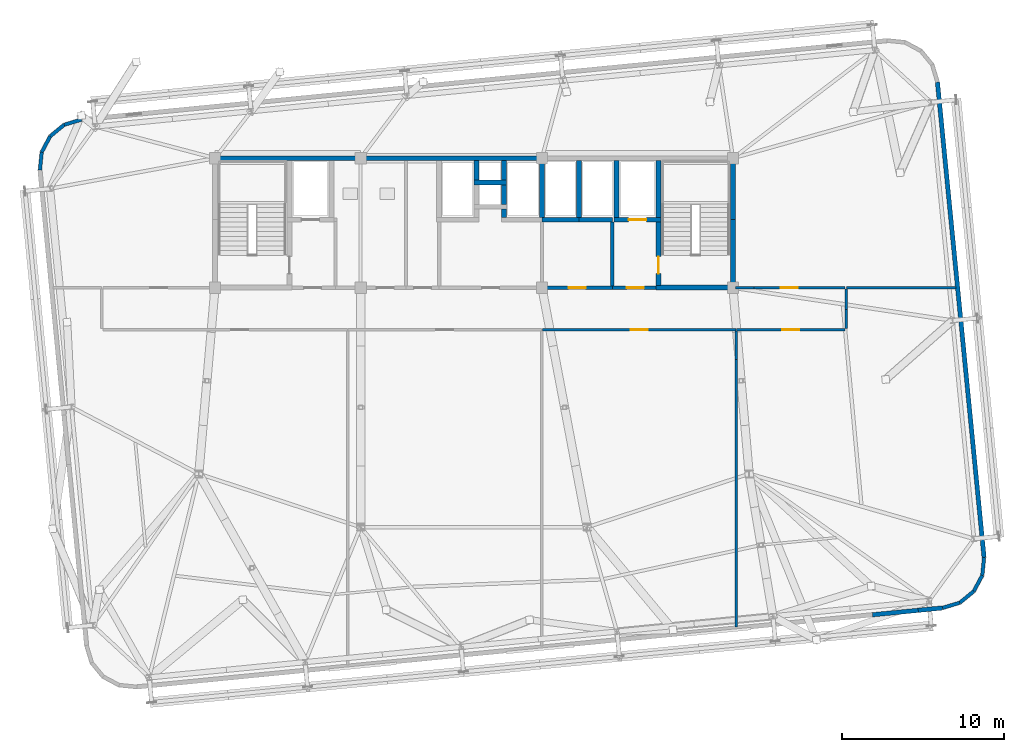
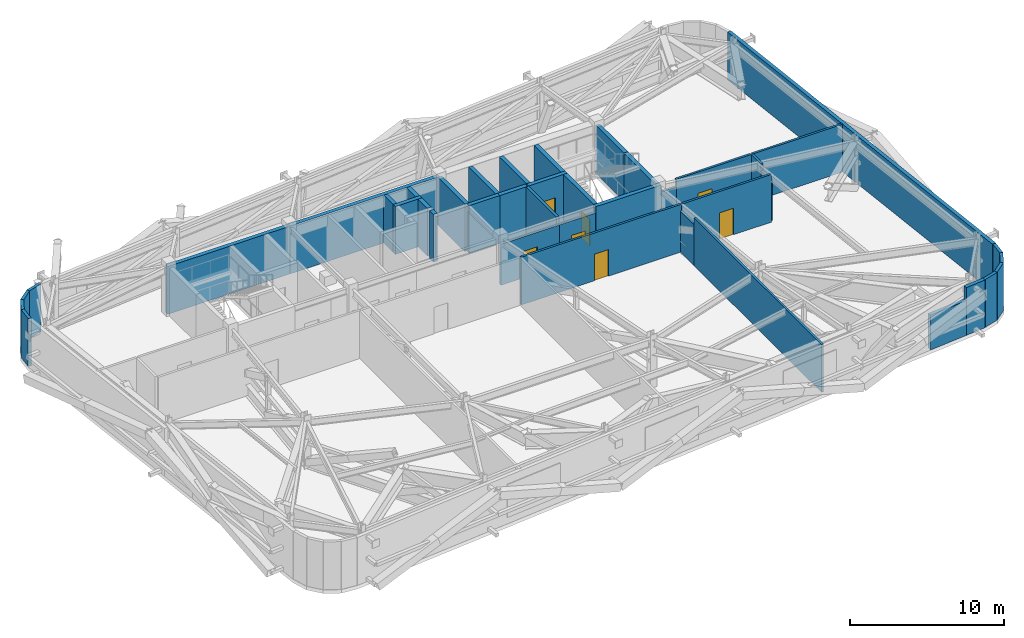
# One storey, part 22 of 24: 41 walls, 7 doors, 7 openings.
"""IFC4 building model written with IfcOpenShell, lengths in metres."""

from ifc_helpers import new_model, si_unit, direction, frame, frame_2d, origin, place, context, subcontext, project, spatial, rectangle, extrude, source, transform, mapped, material, layer, layer_set, type_object, element, fill, save


model = new_model("IFC4")

# Units and contexts
model_context = context("Model", 3, precision=1e-05, world=origin(), true_north=direction((0.0, 1.0)))
body_context = subcontext(model_context, "Body", "Model", "MODEL_VIEW")
ifc_project = project(units=[si_unit("LENGTHUNIT", "METRE"), si_unit("AREAUNIT", "SQUARE_METRE"), si_unit("VOLUMEUNIT", "CUBIC_METRE"), si_unit("PLANEANGLEUNIT", "RADIAN"), si_unit("MASSUNIT", "GRAM", prefix="KILO")], contexts=[model_context])

# Site, building, storey
site_placement = place(None, origin())
site = spatial("IfcSite", under=ifc_project, at=site_placement, CompositionType="ELEMENT")
building_placement = place(site_placement, origin())
building = spatial("IfcBuilding", under=site, at=building_placement, Name="Taldren Reach Tower", CompositionType="ELEMENT")
storey_placement = place(building_placement, frame((0.0, 0.0, 112.35009765625)))
storey = spatial("IfcBuildingStorey", under=building, at=storey_placement, Name="L34", CompositionType="ELEMENT", Elevation=112.35009765625)

# Walls
ifc_material_1 = material(Name="Pale Champagne Anodised Aluminium Cladding", Category="aluminium")
ifc_layer_1 = layer(ifc_material_1, 0.04, Name="Pale Champagne Anodised Aluminium Cladding", Category="aluminium")
ifc_material_2 = material(Name="Mineral Wool Acoustic Insulation", Category="insulation")
ifc_layer_2 = layer(ifc_material_2, 0.06, Name="Mineral Wool Acoustic Insulation", Category="insulation")
ifc_material_3 = material(Name="Steel Gr 350 (C350L0)", Category="steel")
ifc_layer_3 = layer(ifc_material_3, 0.12, Name="Steel Gr 350 (C350L0)", Category="steel")
ifc_layer_set_1 = layer_set([ifc_layer_1, ifc_layer_2, ifc_layer_3], Name="Pale Champagne Aluminium Cladding and Steel Gr 350 Stud Framing")
wall_type_1 = type_object("IfcWallType", Name="EW-CRN-220", PredefinedType="SOLIDWALL", material=ifc_layer_set_1)
shared_shape_1 = source(origin(), body_context, "Body", "SweptSolid", [
    extrude(rectangle(XDim=1.11572265625, YDim=0.219970703125, at=frame_2d((0.557861328125, 0.0))), origin(), (0.0, 0.0, 1.0), 3.77978515625),
])
for number, where, z_axis, x_axis, name in (
    (1, (63.94921875, 4.213623046875, 0.0), (0.0, 0.0, 1.0), (0.957052003726, 0.289916301997, 0.0), "Rounded-corner pale-metal facade wall L34-SE1"),
    (2, (65.880126953125, 5.24462890625, 0.0), (0.0, 0.0, 1.0), (0.471723463201, 0.881746547635, 0.0), "Rounded-corner pale-metal facade wall L34-SE3"),
    (3, (9.682861328125, 34.06298828125, 0.0), (0.0, 0.0, 1.0), (-0.773254916409, -0.634095287989, 0.0), "Rounded-corner pale-metal facade wall L34-NW2"),
    (4, (8.29345703125, 32.371337890625, 0.0), (0.0, 0.0, 1.0), (-0.098463783145, -0.99514063499, 0.0), "Rounded-corner pale-metal facade wall L34-NW4"),
):
    element("IfcWall", number, at=place(storey_placement, frame(where, z_axis=z_axis, x_axis=x_axis)), inside=storey, type_object=wall_type_1, Name=name, PredefinedType="SOLIDWALL", context=body_context, shape_type="MappedRepresentation", body=[
        mapped(shared_shape_1, transform((0.0, 0.0, 0.0), scale=1.0)),
    ])
shared_shape_2 = source(origin(), body_context, "Body", "SweptSolid", [
    extrude(rectangle(XDim=1.115966796875, YDim=0.219970703125, at=frame_2d((0.55810546875, 0.0))), origin(), (0.0, 0.0, 1.0), 3.77978515625),
])
for number, where, z_axis, x_axis, name in (
    (5, (65.01708984375, 4.537109375, 0.0), (0.0, 0.0, 1.0), (0.773342870285, 0.633988016432, 0.0), "Rounded-corner pale-metal facade wall L34-SE2"),
    (6, (66.406494140625, 6.228515625, 0.0), (0.0, 0.0, 1.0), (0.09844234778, 0.995142755671, 0.0), "Rounded-corner pale-metal facade wall L34-SE4"),
    (7, (10.7509765625, 34.386474609375, 0.0), (0.0, 0.0, 1.0), (-0.957070388811, -0.289855603468, 0.0), "Rounded-corner pale-metal facade wall L34-NW1"),
):
    element("IfcWall", number, at=place(storey_placement, frame(where, z_axis=z_axis, x_axis=x_axis)), inside=storey, type_object=wall_type_1, Name=name, PredefinedType="SOLIDWALL", context=body_context, shape_type="MappedRepresentation", body=[
        mapped(shared_shape_2, transform((0.0, 0.0, 0.0), scale=1.0)),
    ])
shared_shape_3 = source(origin(), body_context, "Body", "SweptSolid", [
    extrude(rectangle(XDim=1.1162109375, YDim=0.219970703125, at=frame_2d((0.55810546875, 0.0))), origin(), (0.0, 0.0, 1.0), 3.77978515625),
])
wall_1_placement = place(storey_placement, frame((8.820068359375, 33.35546875, 0.0), z_axis=(0.0, 0.0, 1.0), x_axis=(-0.471802540493, -0.881704237704, 0.0)))
element("IfcWall", 8, at=wall_1_placement, inside=storey, type_object=wall_type_1, Name="Rounded-corner pale-metal facade wall L34-NW3", PredefinedType="SOLIDWALL", context=body_context, shape_type="MappedRepresentation", body=[
    mapped(shared_shape_3, transform((0.0, 0.0, 0.0), scale=1.0)),
])
ifc_material_4 = material(Name="Perforated Anodised Aluminium Acoustic Liner", Category="aluminium")
ifc_layer_4 = layer(ifc_material_4, 0.04, Name="Perforated Anodised Aluminium Acoustic Liner", Category="aluminium")
ifc_layer_5 = layer(ifc_material_2, 0.08, Name="Mineral Wool Acoustic Insulation", Category="insulation")
ifc_layer_6 = layer(ifc_material_3, 0.15, Name="Steel Gr 350 (C350L0)", Category="steel")
ifc_layer_set_2 = layer_set([ifc_layer_4, ifc_layer_5, ifc_layer_6], Name="Perforated Anodised Aluminium Liner and Steel Gr 350 Stud Framing")
wall_type_2 = type_object("IfcWallType", Name="EW-PLT-270", PredefinedType="SOLIDWALL", material=ifc_layer_set_2)
shared_shape_4 = source(origin(), body_context, "Body", "SweptSolid", [
    extrude(rectangle(XDim=2.844482421875, YDim=0.27001953125, at=frame_2d((1.42236328125, 0.0))), origin(), (0.0, 0.0, 1.0), 2.755859375),
])
wall_2_placement = place(storey_placement, frame((59.61865234375, 3.7890625, 0.0), z_axis=(0.0, 0.0, 1.0), x_axis=(0.995226563783, 0.0975914276, 0.0)))
element("IfcWall", 9, at=wall_2_placement, inside=storey, type_object=wall_type_2, Name="Plant floor perimeter enclosure wall L34-S part 2", PredefinedType="SOLIDWALL", context=body_context, shape_type="MappedRepresentation", body=[
    mapped(shared_shape_4, transform((0.0, 0.0, 0.0), scale=1.0)),
])
shared_shape_5 = source(origin(), body_context, "Body", "SweptSolid", [
    extrude(rectangle(XDim=1.5068359375, YDim=0.27001953125, at=frame_2d((0.75341796875, 0.0))), origin(), (0.0, 0.0, 1.0), 3.77978515625),
])
wall_3_placement = place(storey_placement, frame((62.449462890625, 4.066650390625, 0.0), z_axis=(0.0, 0.0, 1.0), x_axis=(0.995232534448, 0.097530520224, 0.0)))
element("IfcWall", 10, at=wall_3_placement, inside=storey, type_object=wall_type_2, Name="Plant floor perimeter enclosure wall L34-S part 3", PredefinedType="SOLIDWALL", context=body_context, shape_type="MappedRepresentation", body=[
    mapped(shared_shape_5, transform((0.0, 0.0, 0.0), scale=1.0)),
])
shared_shape_6 = source(origin(), body_context, "Body", "SweptSolid", [
    extrude(rectangle(XDim=29.5, YDim=0.27001953125, at=frame_2d((14.75, 0.0))), origin(), (0.0, 0.0, 1.0), 3.77978515625),
])
wall_4_placement = place(storey_placement, frame((66.516357421875, 7.339111328125, 0.0), z_axis=(0.0, 0.0, 1.0), x_axis=(-0.09758203215, 0.995227485051, 0.0)))
element("IfcWall", 11, at=wall_4_placement, inside=storey, type_object=wall_type_2, Name="Plant floor perimeter enclosure wall L34-E", PredefinedType="SOLIDWALL", context=body_context, shape_type="MappedRepresentation", body=[
    mapped(shared_shape_6, transform((0.0, 0.0, 0.0), scale=1.0)),
])
ifc_material_5 = material(Name="Concrete S65 (65 MPa)", Category="concrete")
ifc_layer_7 = layer(ifc_material_5, 0.300048828125)
ifc_layer_set_3 = layer_set([ifc_layer_7], Name="Concrete S65 (65 MPa)")
wall_type_3 = type_object("IfcWallType", Name="IW-CORE-300", PredefinedType="SHEAR", material=ifc_layer_set_3)
shared_shape_7 = source(origin(), body_context, "Body", "SweptSolid", [
    extrude(rectangle(XDim=9.14990234375, YDim=0.300048828125, at=frame_2d((4.574951171875, 0.0))), origin(), (0.0, 0.0, 1.0), 3.77978515625),
])
wall_5_placement = place(storey_placement, frame((18.85009765625, 32.0, 0.0), z_axis=(0.0, 0.0, 1.0), x_axis=(1.0, 0.0, 0.0)))
element("IfcWall", 12, at=wall_5_placement, inside=storey, type_object=wall_type_3, Name="Rear Core Shear Wall W-CORE-L34-NORTH1", PredefinedType="SHEAR", context=body_context, shape_type="MappedRepresentation", body=[
    mapped(shared_shape_7, transform((0.0, 0.0, 0.0), scale=1.0)),
])
shared_shape_8 = source(origin(), body_context, "Body", "SweptSolid", [
    extrude(rectangle(XDim=11.199951171875, YDim=0.300048828125, at=frame_2d((5.60009765625, 0.0))), origin(), (0.0, 0.0, 1.0), 3.77978515625),
])
wall_6_placement = place(storey_placement, frame((28.0, 32.0, 0.0), z_axis=(0.0, 0.0, 1.0), x_axis=(1.0, 0.0, 0.0)))
element("IfcWall", 13, at=wall_6_placement, inside=storey, type_object=wall_type_3, Name="Rear Core Shear Wall W-CORE-L34-NORTH2", PredefinedType="SHEAR", context=body_context, shape_type="MappedRepresentation", body=[
    mapped(shared_shape_8, transform((0.0, 0.0, 0.0), scale=1.0)),
])
shared_shape_9 = source(origin(), body_context, "Body", "SweptSolid", [
    extrude(rectangle(XDim=4.050048828125, YDim=0.300048828125, at=frame_2d((2.02490234375, 0.0))), origin(), (0.0, 0.0, 1.0), 3.77978515625),
])
wall_7_placement = place(storey_placement, frame((51.0, 24.14990234375, 0.0), z_axis=(0.0, 0.0, 1.0), x_axis=(0.0, 1.0, 0.0)))
element("IfcWall", 14, at=wall_7_placement, inside=storey, type_object=wall_type_3, Name="Rear Core Shear Wall W-CORE-L34-EAST1", PredefinedType="SHEAR", context=body_context, shape_type="MappedRepresentation", body=[
    mapped(shared_shape_9, transform((0.0, 0.0, 0.0), scale=1.0)),
])
shared_shape_10 = source(origin(), body_context, "Body", "SweptSolid", [
    extrude(rectangle(XDim=3.650146484375, YDim=0.300048828125, at=frame_2d((1.8251953125, 0.0))), origin(), (0.0, 0.0, 1.0), 3.77978515625),
])
wall_8_placement = place(storey_placement, frame((51.0, 28.199951171875, 0.0), z_axis=(0.0, 0.0, 1.0), x_axis=(0.0, 1.0, 0.0)))
element("IfcWall", 15, at=wall_8_placement, inside=storey, type_object=wall_type_3, Name="Rear Core Shear Wall W-CORE-L34-EAST2", PredefinedType="SHEAR", context=body_context, shape_type="MappedRepresentation", body=[
    mapped(shared_shape_10, transform((0.0, 0.0, 0.0), scale=1.0)),
])
shared_shape_11 = source(origin(), body_context, "Body", "SweptSolid", [
    extrude(rectangle(XDim=3.5, YDim=0.300048828125, at=frame_2d((1.75, 0.0))), origin(), (0.0, 0.0, 1.0), 3.77978515625),
])
for number, where, z_axis, x_axis, name in (
    (16, (46.39990234375, 31.85009765625, 0.0), (0.0, 0.0, 1.0), (0.0, -1.0, 0.0), "Rear Core Shear Wall W-INT-L34-008"),
    (17, (43.800048828125, 31.85009765625, 0.0), (0.0, 0.0, 1.0), (0.0, -1.0, 0.0), "Rear Core Shear Wall W-INT-L34-012"),
    (18, (39.199951171875, 28.35009765625, 0.0), (0.0, 0.0, 1.0), (0.0, 1.0, 0.0), "Rear Core Shear Wall W-INT-L34-026"),
    (19, (41.5, 28.35009765625, 0.0), (0.0, 0.0, 1.0), (0.0, 1.0, 0.0), "Rear Core Shear Wall W-INT-L34-029"),
):
    element("IfcWall", number, at=place(storey_placement, frame(where, z_axis=z_axis, x_axis=x_axis)), inside=storey, type_object=wall_type_3, Name=name, PredefinedType="SHEAR", context=body_context, shape_type="MappedRepresentation", body=[
        mapped(shared_shape_11, transform((0.0, 0.0, 0.0), scale=1.0)),
    ])

# Wall, opening, door
shared_shape_12 = source(origin(), body_context, "Body", "SweptSolid", [
    extrude(rectangle(XDim=3.900146484375, YDim=0.300048828125, at=frame_2d((1.9501953125, 0.0))), origin(), (0.0, 0.0, 1.0), 3.77978515625),
])
wall_9_placement = place(storey_placement, frame((46.39990234375, 28.050048828125, 0.0), z_axis=(0.0, 0.0, 1.0), x_axis=(0.0, -1.0, 0.0)))
wall_9 = element("IfcWall", 20, at=wall_9_placement, inside=storey, type_object=wall_type_3, Name="Rear Core Shear Wall W-INT-L34-009", PredefinedType="SHEAR", context=body_context, shape_type="MappedRepresentation", body=[
    mapped(shared_shape_12, transform((0.0, 0.0, 0.0), scale=1.0)),
])
shared_shape_13 = source(origin(), body_context, "Body", "SweptSolid", [
    extrude(rectangle(XDim=1.050048828125, YDim=2.10009765625, at=frame_2d((0.52490234375, 1.050048828125))), frame((0.0, 0.16015625, 0.0), z_axis=(0.0, -1.0, 0.0), x_axis=(1.0, 0.0, 0.0)), (0.0, 0.0, 1.0), 0.320068359375),
])
opening_1_placement = place(wall_9_placement, frame((2.125, 0.0, 0.0)))
opening_1 = element("IfcOpeningElement", 21, at=opening_1_placement, cuts=wall_9, Name="Opening DF-105", PredefinedType="OPENING", context=body_context, shape_type="MappedRepresentation", body=[
    mapped(shared_shape_13, transform((0.0, 0.0, 0.0), scale=1.0)),
])
ifc_material_6 = material(Name="Fire-Rated Care and Stair Exit Door")
door_type_1 = type_object("IfcDoorType", Name="ID-FIRE-105", OperationType="NOTDEFINED", PredefinedType="DOOR", material=ifc_material_6)
shared_shape_14 = source(origin(), body_context, "Body", "SweptSolid", [
    extrude(rectangle(XDim=1.050048828125, YDim=2.10009765625, at=frame_2d((0.52490234375, 1.050048828125))), frame((0.0, 0.02490234375, 0.0), z_axis=(0.0, -1.0, 0.0), x_axis=(1.0, 0.0, 0.0)), (0.0, 0.0, 1.0), 0.050048828125),
])
door_1_placement = place(opening_1_placement, origin())
door_1 = element("IfcDoor", 22, at=door_1_placement, inside=storey, type_object=door_type_1, Name="Fire Exit Stair Door DR-L34-003", OperationType="SINGLE_SWING_RIGHT", OverallHeight=2.10009765625, OverallWidth=1.050048828125, PredefinedType="DOOR", context=body_context, shape_type="MappedRepresentation", body=[
    mapped(shared_shape_14, transform((0.0, 0.0, 0.0), scale=1.0)),
])
fill(opening_1, door_1)

# Wall
shared_shape_15 = source(origin(), body_context, "Body", "SweptSolid", [
    extrude(rectangle(XDim=4.89990234375, YDim=0.300048828125, at=frame_2d((2.449951171875, 0.0))), origin(), (0.0, 0.0, 1.0), 3.77978515625),
])
wall_10_placement = place(storey_placement, frame((46.25, 24.0, 0.0), z_axis=(0.0, 0.0, 1.0), x_axis=(1.0, 0.0, 0.0)))
element("IfcWall", 23, at=wall_10_placement, inside=storey, type_object=wall_type_3, Name="Rear Core Shear Wall W-INT-L34-010", PredefinedType="SHEAR", context=body_context, shape_type="MappedRepresentation", body=[
    mapped(shared_shape_15, transform((0.0, 0.0, 0.0), scale=1.0)),
])

# Wall, opening, door
shared_shape_16 = source(origin(), body_context, "Body", "SweptSolid", [
    extrude(rectangle(XDim=2.900146484375, YDim=0.300048828125, at=frame_2d((1.4501953125, 0.0))), origin(), (0.0, 0.0, 1.0), 3.77978515625),
])
wall_11_placement = place(storey_placement, frame((43.64990234375, 28.199951171875, 0.0), z_axis=(0.0, 0.0, 1.0), x_axis=(1.0, 0.0, 0.0)))
wall_11 = element("IfcWall", 24, at=wall_11_placement, inside=storey, type_object=wall_type_3, Name="Rear Core Shear Wall W-INT-L34-011", PredefinedType="SHEAR", context=body_context, shape_type="MappedRepresentation", body=[
    mapped(shared_shape_16, transform((0.0, 0.0, 0.0), scale=1.0)),
])
shared_shape_17 = source(origin(), body_context, "Body", "SweptSolid", [
    extrude(rectangle(XDim=1.10009765625, YDim=2.14990234375, at=frame_2d((0.550048828125, 1.074951171875))), frame((0.0, 0.16015625, 0.0), z_axis=(0.0, -1.0, 0.0), x_axis=(1.0, 0.0, 0.0)), (0.0, 0.0, 1.0), 0.320068359375),
])
opening_2_placement = place(wall_11_placement, frame((0.89990234375, 0.0, 0.0)))
opening_2 = element("IfcOpeningElement", 25, at=opening_2_placement, cuts=wall_11, Name="Opening LD-FL2", PredefinedType="OPENING", context=body_context, shape_type="MappedRepresentation", body=[
    mapped(shared_shape_17, transform((0.0, 0.0, 0.0), scale=1.0)),
])
ifc_material_7 = material(Name="Stainless Steel Gr 316 Emergency Lift Landing Door", Category="steel")
door_type_2 = type_object("IfcDoorType", Name="LD-EMG-110", OperationType="SLIDING_TO_LEFT", PredefinedType="DOOR", material=ifc_material_7)
shared_shape_18 = source(origin(), body_context, "Body", "SweptSolid", [
    extrude(rectangle(XDim=1.10009765625, YDim=2.14990234375, at=frame_2d((0.550048828125, 1.074951171875))), frame((0.0, 0.02490234375, 0.0), z_axis=(0.0, -1.0, 0.0), x_axis=(1.0, 0.0, 0.0)), (0.0, 0.0, 1.0), 0.050048828125),
])
door_2_placement = place(opening_2_placement, origin())
door_2 = element("IfcDoor", 26, at=door_2_placement, inside=storey, type_object=door_type_2, Name="Lift Landing Door LD-FL2-L34", OperationType="SLIDING_TO_LEFT", OverallHeight=2.14990234375, OverallWidth=1.10009765625, PredefinedType="DOOR", context=body_context, shape_type="MappedRepresentation", body=[
    mapped(shared_shape_18, transform((0.0, 0.0, 0.0), scale=1.0)),
])
fill(opening_2, door_2)

# Wall
ifc_material_8 = material(Name="Concrete S50 (50 MPa)", Category="concrete")
ifc_layer_8 = layer(ifc_material_8, 0.199951171875)
ifc_layer_set_4 = layer_set([ifc_layer_8], Name="Concrete S50 (50 MPa)")
wall_type_4 = type_object("IfcWallType", Name="IW-CORE-200", PredefinedType="SOLIDWALL", material=ifc_layer_set_4)
shared_shape_19 = source(origin(), body_context, "Body", "SweptSolid", [
    extrude(rectangle(XDim=3.949951171875, YDim=0.199951171875, at=frame_2d((1.97509765625, 0.0))), origin(), (0.0, 0.0, 1.0), 3.77978515625),
])
wall_12_placement = place(storey_placement, frame((43.550048828125, 28.050048828125, 0.0), z_axis=(0.0, 0.0, 1.0), x_axis=(0.0, -1.0, 0.0)))
element("IfcWall", 27, at=wall_12_placement, inside=storey, type_object=wall_type_4, Name="Rear Core Shear Wall W-INT-L34-013", PredefinedType="SOLIDWALL", context=body_context, shape_type="MappedRepresentation", body=[
    mapped(shared_shape_19, transform((0.0, 0.0, 0.0), scale=1.0)),
])

# Wall, opening, door
shared_shape_20 = source(origin(), body_context, "Body", "SweptSolid", [
    extrude(rectangle(XDim=2.699951171875, YDim=0.199951171875, at=frame_2d((1.35009765625, 0.0))), origin(), (0.0, 0.0, 1.0), 3.246826171875),
])
wall_13_placement = place(storey_placement, frame((43.550048828125, 24.0, 0.0), z_axis=(0.0, 0.0, 1.0), x_axis=(1.0, 0.0, 0.0)))
wall_13 = element("IfcWall", 28, at=wall_13_placement, inside=storey, type_object=wall_type_4, Name="Rear Core Shear Wall W-INT-L34-014", PredefinedType="SOLIDWALL", context=body_context, shape_type="MappedRepresentation", body=[
    mapped(shared_shape_20, transform((0.0, 0.0, 0.0), scale=1.0)),
])
shared_shape_21 = source(origin(), body_context, "Body", "SweptSolid", [
    extrude(rectangle(XDim=1.050048828125, YDim=2.10009765625, at=frame_2d((0.52490234375, 1.050048828125))), frame((0.0, 0.10986328125, 0.0), z_axis=(0.0, -1.0, 0.0), x_axis=(1.0, 0.0, 0.0)), (0.0, 0.0, 1.0), 0.219970703125),
])
opening_3_placement = place(wall_13_placement, frame((0.89990234375, 0.0, 0.0)))
opening_3 = element("IfcOpeningElement", 29, at=opening_3_placement, cuts=wall_13, Name="Opening DF-105", PredefinedType="OPENING", context=body_context, shape_type="MappedRepresentation", body=[
    mapped(shared_shape_21, transform((0.0, 0.0, 0.0), scale=1.0)),
])
door_3_placement = place(opening_3_placement, origin())
door_3 = element("IfcDoor", 30, at=door_3_placement, inside=storey, type_object=door_type_1, Name="Interior Door DR-L34-004", OperationType="SINGLE_SWING_LEFT", OverallHeight=2.10009765625, OverallWidth=1.050048828125, PredefinedType="DOOR", context=body_context, shape_type="MappedRepresentation", body=[
    mapped(shared_shape_14, transform((0.0, 0.0, 0.0), scale=1.0)),
])
fill(opening_3, door_3)

# Walls
shared_shape_22 = source(origin(), body_context, "Body", "SweptSolid", [
    extrude(rectangle(XDim=2.0, YDim=0.300048828125, at=frame_2d((1.0, 0.0))), origin(), (0.0, 0.0, 1.0), 3.77978515625),
])
wall_14_placement = place(storey_placement, frame((35.0, 30.5, 0.0), z_axis=(0.0, 0.0, 1.0), x_axis=(1.0, 0.0, 0.0)))
element("IfcWall", 31, at=wall_14_placement, inside=storey, type_object=wall_type_3, Name="Rear Core Shear Wall W-INT-L34-015", PredefinedType="SHEAR", context=body_context, shape_type="MappedRepresentation", body=[
    mapped(shared_shape_22, transform((0.0, 0.0, 0.0), scale=1.0)),
])
shared_shape_23 = source(origin(), body_context, "Body", "SweptSolid", [
    extrude(rectangle(XDim=1.2001953125, YDim=0.300048828125, at=frame_2d((0.60009765625, 0.0))), origin(), (0.0, 0.0, 1.0), 3.77978515625),
])
for number, where, z_axis, x_axis, name in (
    (32, (35.14990234375, 31.85009765625, 0.0), (0.0, 0.0, 1.0), (0.0, -1.0, 0.0), "Rear Core Shear Wall W-INT-L34-016"),
    (33, (36.85009765625, 30.64990234375, 0.0), (0.0, 0.0, 1.0), (0.0, 1.0, 0.0), "Rear Core Shear Wall W-INT-L34-017"),
    (34, (36.85009765625, 29.14990234375, 0.0), (0.0, 0.0, 1.0), (0.0, 1.0, 0.0), "Rear Core Shear Wall W-INT-L34-019"),
):
    element("IfcWall", number, at=place(storey_placement, frame(where, z_axis=z_axis, x_axis=x_axis)), inside=storey, type_object=wall_type_3, Name=name, PredefinedType="SHEAR", context=body_context, shape_type="MappedRepresentation", body=[
        mapped(shared_shape_23, transform((0.0, 0.0, 0.0), scale=1.0)),
    ])
shared_shape_24 = source(origin(), body_context, "Body", "SweptSolid", [
    extrude(rectangle(XDim=0.5, YDim=0.300048828125, at=frame_2d((0.25, 0.0))), origin(), (0.0, 0.0, 1.0), 3.77978515625),
])
wall_15_placement = place(storey_placement, frame((36.85009765625, 28.85009765625, 0.0), z_axis=(0.0, 0.0, 1.0), x_axis=(0.0, -1.0, 0.0)))
element("IfcWall", 35, at=wall_15_placement, inside=storey, type_object=wall_type_3, Name="Rear Core Shear Wall W-INT-L34-028", PredefinedType="SHEAR", context=body_context, shape_type="MappedRepresentation", body=[
    mapped(shared_shape_24, transform((0.0, 0.0, 0.0), scale=1.0)),
])
shared_shape_25 = source(origin(), body_context, "Body", "SweptSolid", [
    extrude(rectangle(XDim=2.300048828125, YDim=0.300048828125, at=frame_2d((1.14990234375, 0.0))), origin(), (0.0, 0.0, 1.0), 3.77978515625),
])
wall_16_placement = place(storey_placement, frame((39.199951171875, 28.199951171875, 0.0), z_axis=(0.0, 0.0, 1.0), x_axis=(1.0, 0.0, 0.0)))
element("IfcWall", 36, at=wall_16_placement, inside=storey, type_object=wall_type_3, Name="Rear Core Shear Wall W-INT-L34-030", PredefinedType="SHEAR", context=body_context, shape_type="MappedRepresentation", body=[
    mapped(shared_shape_25, transform((0.0, 0.0, 0.0), scale=1.0)),
])
shared_shape_26 = source(origin(), body_context, "Body", "SweptSolid", [
    extrude(rectangle(XDim=2.070068359375, YDim=0.300048828125, at=frame_2d((1.03515625, 0.0))), origin(), (0.0, 0.0, 1.0), 3.77978515625),
])
wall_17_placement = place(storey_placement, frame((41.5, 28.199951171875, 0.0), z_axis=(0.0, 0.0, 1.0), x_axis=(1.0, 0.0, 0.0)))
element("IfcWall", 37, at=wall_17_placement, inside=storey, type_object=wall_type_3, Name="Rear Core Shear Wall W-INT-L34-031", PredefinedType="SHEAR", context=body_context, shape_type="MappedRepresentation", body=[
    mapped(shared_shape_26, transform((0.0, 0.0, 0.0), scale=1.0)),
])

# Wall, opening, door
shared_shape_27 = source(origin(), body_context, "Body", "SweptSolid", [
    extrude(rectangle(XDim=4.35009765625, YDim=0.199951171875, at=frame_2d((2.175048828125, 0.0))), origin(), (0.0, 0.0, 1.0), 3.246826171875),
])
wall_18_placement = place(storey_placement, frame((43.550048828125, 24.0, 0.0), z_axis=(0.0, 0.0, 1.0), x_axis=(-1.0, 0.0, 0.0)))
wall_18 = element("IfcWall", 38, at=wall_18_placement, inside=storey, type_object=wall_type_4, Name="Rear Core Shear Wall W-INT-L34-036", PredefinedType="SOLIDWALL", context=body_context, shape_type="MappedRepresentation", body=[
    mapped(shared_shape_27, transform((0.0, 0.0, 0.0), scale=1.0)),
])
opening_4_placement = place(wall_18_placement, frame((1.64990234375, 0.0, 0.0)))
opening_4 = element("IfcOpeningElement", 39, at=opening_4_placement, cuts=wall_18, Name="Opening DF-105", PredefinedType="OPENING", context=body_context, shape_type="MappedRepresentation", body=[
    mapped(shared_shape_21, transform((0.0, 0.0, 0.0), scale=1.0)),
])
door_4_placement = place(opening_4_placement, frame((1.050048828125, 0.0, 0.0), z_axis=(0.0, 0.0, 1.0), x_axis=(-1.0, 0.0, 0.0)))
door_4 = element("IfcDoor", 40, at=door_4_placement, inside=storey, type_object=door_type_1, Name="Interior Door DR-L34-008", OperationType="SINGLE_SWING_RIGHT", OverallHeight=2.10009765625, OverallWidth=1.050048828125, PredefinedType="DOOR", context=body_context, shape_type="MappedRepresentation", body=[
    mapped(shared_shape_14, transform((0.0, 0.0, 0.0), scale=1.0)),
])
fill(opening_4, door_4)

# Wall
ifc_material_9 = material(Name="Fire-Rated Acoustic Plasterboard Stud Wall", Category="gypsum")
ifc_layer_9 = layer(ifc_material_9, 0.159912109375)
ifc_layer_set_5 = layer_set([ifc_layer_9], Name="Fire-Rated Acoustic Plasterboard Stud Wall")
wall_type_5 = type_object("IfcWallType", Name="IW-FIRE-160", PredefinedType="PARTITIONING", material=ifc_layer_set_5)
shared_shape_28 = source(origin(), body_context, "Body", "SweptSolid", [
    extrude(rectangle(XDim=1.154541015625, YDim=0.159912109375, at=frame_2d((0.5771484375, 0.0))), origin(), (0.0, 0.0, 1.0), 3.177978515625),
])
wall_19_placement = place(storey_placement, frame((51.14990234375, 24.0, 0.0), z_axis=(0.0, 0.0, 1.0), x_axis=(1.0, 0.0, 0.0)))
element("IfcWall", 41, at=wall_19_placement, inside=storey, type_object=wall_type_5, Name="Interior Partition Wall W-INT-L34-038", PredefinedType="PARTITIONING", context=body_context, shape_type="MappedRepresentation", body=[
    mapped(shared_shape_28, transform((0.0, 0.0, 0.0), scale=1.0)),
])

# Wall, opening, door
shared_shape_29 = source(origin(), body_context, "Body", "SweptSolid", [
    extrude(rectangle(XDim=5.615478515625, YDim=0.159912109375, at=frame_2d((2.8076171875, 0.0))), origin(), (0.0, 0.0, 1.0), 3.77978515625),
])
wall_20_placement = place(storey_placement, frame((52.304443359375, 24.0, 0.0), z_axis=(0.0, 0.0, 1.0), x_axis=(1.0, 0.0, 0.0)))
wall_20 = element("IfcWall", 42, at=wall_20_placement, inside=storey, type_object=wall_type_5, Name="Interior Partition Wall W-INT-L34-038 part 2", PredefinedType="PARTITIONING", context=body_context, shape_type="MappedRepresentation", body=[
    mapped(shared_shape_29, transform((0.0, 0.0, 0.0), scale=1.0)),
])
shared_shape_30 = source(origin(), body_context, "Body", "SweptSolid", [
    extrude(rectangle(XDim=1.050048828125, YDim=2.10009765625, at=frame_2d((0.52490234375, 1.050048828125))), frame((0.0, 0.08984375, 0.0), z_axis=(0.0, -1.0, 0.0), x_axis=(1.0, 0.0, 0.0)), (0.0, 0.0, 1.0), 0.179931640625),
])
opening_5_placement = place(wall_20_placement, frame((1.640625, 0.0, 0.0)))
opening_5 = element("IfcOpeningElement", 43, at=opening_5_placement, cuts=wall_20, Name="Opening DF-105", PredefinedType="OPENING", context=body_context, shape_type="MappedRepresentation", body=[
    mapped(shared_shape_30, transform((0.0, 0.0, 0.0), scale=1.0)),
])
door_5_placement = place(opening_5_placement, origin())
door_5 = element("IfcDoor", 44, at=door_5_placement, inside=storey, type_object=door_type_1, Name="Interior Door DR-L34-010", OperationType="SINGLE_SWING_LEFT", OverallHeight=2.10009765625, OverallWidth=1.050048828125, PredefinedType="DOOR", context=body_context, shape_type="MappedRepresentation", body=[
    mapped(shared_shape_14, transform((0.0, 0.0, 0.0), scale=1.0)),
])
fill(opening_5, door_5)

shared_shape_31 = source(origin(), body_context, "Body", "SweptSolid", [
    extrude(rectangle(XDim=11.95947265625, YDim=0.159912109375, at=frame_2d((5.979736328125, 0.0))), origin(), (0.0, 0.0, 1.0), 3.77978515625),
])
wall_21_placement = place(storey_placement, frame((51.1796875, 21.39990234375, 0.0), z_axis=(0.0, 0.0, 1.0), x_axis=(-1.0, 0.0, 0.0)))
wall_21 = element("IfcWall", 45, at=wall_21_placement, inside=storey, type_object=wall_type_5, Name="Interior Partition Wall W-INT-L34-042", PredefinedType="PARTITIONING", context=body_context, shape_type="MappedRepresentation", body=[
    mapped(shared_shape_31, transform((0.0, 0.0, 0.0), scale=1.0)),
])
opening_6_placement = place(wall_21_placement, frame((5.454833984375, 0.0, 0.0)))
opening_6 = element("IfcOpeningElement", 46, at=opening_6_placement, cuts=wall_21, Name="Opening DF-105", PredefinedType="OPENING", context=body_context, shape_type="MappedRepresentation", body=[
    mapped(shared_shape_30, transform((0.0, 0.0, 0.0), scale=1.0)),
])
door_6_placement = place(opening_6_placement, origin())
door_6 = element("IfcDoor", 47, at=door_6_placement, inside=storey, type_object=door_type_1, Name="Interior Door DR-L34-013", OperationType="SINGLE_SWING_RIGHT", OverallHeight=2.10009765625, OverallWidth=1.050048828125, PredefinedType="DOOR", context=body_context, shape_type="MappedRepresentation", body=[
    mapped(shared_shape_14, transform((0.0, 0.0, 0.0), scale=1.0)),
])
fill(opening_6, door_6)

shared_shape_32 = source(origin(), body_context, "Body", "SweptSolid", [
    extrude(rectangle(XDim=6.69970703125, YDim=0.159912109375, at=frame_2d((3.349853515625, 0.0))), origin(), (0.0, 0.0, 1.0), 3.77978515625),
])
wall_22_placement = place(storey_placement, frame((57.919921875, 21.39990234375, 0.0), z_axis=(0.0, 0.0, 1.0), x_axis=(-1.0, 0.0, 0.0)))
wall_22 = element("IfcWall", 48, at=wall_22_placement, inside=storey, type_object=wall_type_5, Name="Interior Partition Wall W-INT-L34-043", PredefinedType="PARTITIONING", context=body_context, shape_type="MappedRepresentation", body=[
    mapped(shared_shape_32, transform((0.0, 0.0, 0.0), scale=1.0)),
])
opening_7_placement = place(wall_22_placement, frame((2.824951171875, 0.0, 0.0)))
opening_7 = element("IfcOpeningElement", 49, at=opening_7_placement, cuts=wall_22, Name="Opening DF-105", PredefinedType="OPENING", context=body_context, shape_type="MappedRepresentation", body=[
    mapped(shared_shape_30, transform((0.0, 0.0, 0.0), scale=1.0)),
])
door_7_placement = place(opening_7_placement, origin())
door_7 = element("IfcDoor", 50, at=door_7_placement, inside=storey, type_object=door_type_1, Name="Interior Door DR-L34-014", OperationType="SINGLE_SWING_LEFT", OverallHeight=2.10009765625, OverallWidth=1.050048828125, PredefinedType="DOOR", context=body_context, shape_type="MappedRepresentation", body=[
    mapped(shared_shape_14, transform((0.0, 0.0, 0.0), scale=1.0)),
])
fill(opening_7, door_7)

# Walls
shared_shape_33 = source(origin(), body_context, "Body", "SweptSolid", [
    extrude(rectangle(XDim=1.26171875, YDim=0.159912109375, at=frame_2d((0.630859375, 0.0))), origin(), (0.0, 0.0, 1.0), 3.77978515625),
])
wall_23_placement = place(storey_placement, frame((58.0, 23.919921875, 0.0), z_axis=(0.0, 0.0, 1.0), x_axis=(0.0, -1.0, 0.0)))
element("IfcWall", 51, at=wall_23_placement, inside=storey, type_object=wall_type_5, Name="Interior Partition Wall W-INT-L34-044", PredefinedType="PARTITIONING", context=body_context, shape_type="MappedRepresentation", body=[
    mapped(shared_shape_33, transform((0.0, 0.0, 0.0), scale=1.0)),
])
shared_shape_34 = source(origin(), body_context, "Body", "SweptSolid", [
    extrude(rectangle(XDim=1.17822265625, YDim=0.159912109375, at=frame_2d((0.589111328125, 0.0))), origin(), (0.0, 0.0, 1.0), 3.246826171875),
])
wall_24_placement = place(storey_placement, frame((58.0, 22.658203125, 0.0), z_axis=(0.0, 0.0, 1.0), x_axis=(0.0, -1.0, 0.0)))
element("IfcWall", 52, at=wall_24_placement, inside=storey, type_object=wall_type_5, Name="Interior Partition Wall W-INT-L34-044 part 2", PredefinedType="PARTITIONING", context=body_context, shape_type="MappedRepresentation", body=[
    mapped(shared_shape_34, transform((0.0, 0.0, 0.0), scale=1.0)),
])
shared_shape_35 = source(origin(), body_context, "Body", "SweptSolid", [
    extrude(rectangle(XDim=6.76416015625, YDim=0.159912109375, at=frame_2d((3.382080078125, 0.0))), origin(), (0.0, 0.0, 1.0), 3.77978515625),
])
wall_25_placement = place(storey_placement, frame((64.784423828125, 24.0, 0.0), z_axis=(0.0, 0.0, 1.0), x_axis=(-1.0, 0.0, 0.0)))
element("IfcWall", 53, at=wall_25_placement, inside=storey, type_object=wall_type_5, Name="Interior Partition Wall W-INT-L34-046", PredefinedType="PARTITIONING", context=body_context, shape_type="MappedRepresentation", body=[
    mapped(shared_shape_35, transform((0.0, 0.0, 0.0), scale=1.0)),
])
shared_shape_36 = source(origin(), body_context, "Body", "SweptSolid", [
    extrude(rectangle(XDim=1.746337890625, YDim=0.159912109375, at=frame_2d((0.873046875, 0.0))), origin(), (0.0, 0.0, 1.0), 3.246826171875),
])
wall_26_placement = place(storey_placement, frame((51.199951171875, 21.320068359375, 0.0), z_axis=(0.0, 0.0, 1.0), x_axis=(0.0, -1.0, 0.0)))
element("IfcWall", 54, at=wall_26_placement, inside=storey, type_object=wall_type_5, Name="Interior Partition Wall W-INT-L34-049", PredefinedType="PARTITIONING", context=body_context, shape_type="MappedRepresentation", body=[
    mapped(shared_shape_36, transform((0.0, 0.0, 0.0), scale=1.0)),
])
shared_shape_37 = source(origin(), body_context, "Body", "SweptSolid", [
    extrude(rectangle(XDim=16.527587890625, YDim=0.159912109375, at=frame_2d((8.263671875, 0.0))), origin(), (0.0, 0.0, 1.0), 3.77978515625),
])
wall_27_placement = place(storey_placement, frame((51.199951171875, 19.57373046875, 0.0), z_axis=(0.0, 0.0, 1.0), x_axis=(0.0, -1.0, 0.0)))
element("IfcWall", 55, at=wall_27_placement, inside=storey, type_object=wall_type_5, Name="Interior Partition Wall W-INT-L34-049 part 2", PredefinedType="PARTITIONING", context=body_context, shape_type="MappedRepresentation", body=[
    mapped(shared_shape_37, transform((0.0, 0.0, 0.0), scale=1.0)),
])

save(model, "model.ifc")
